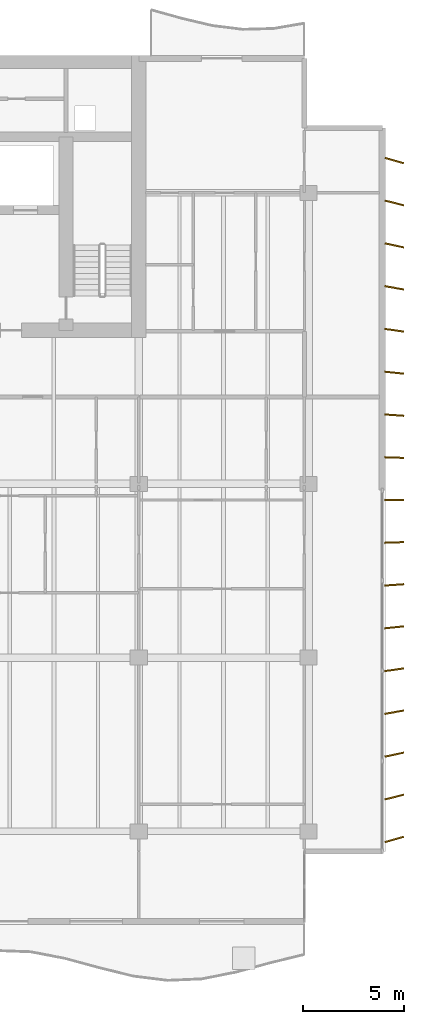
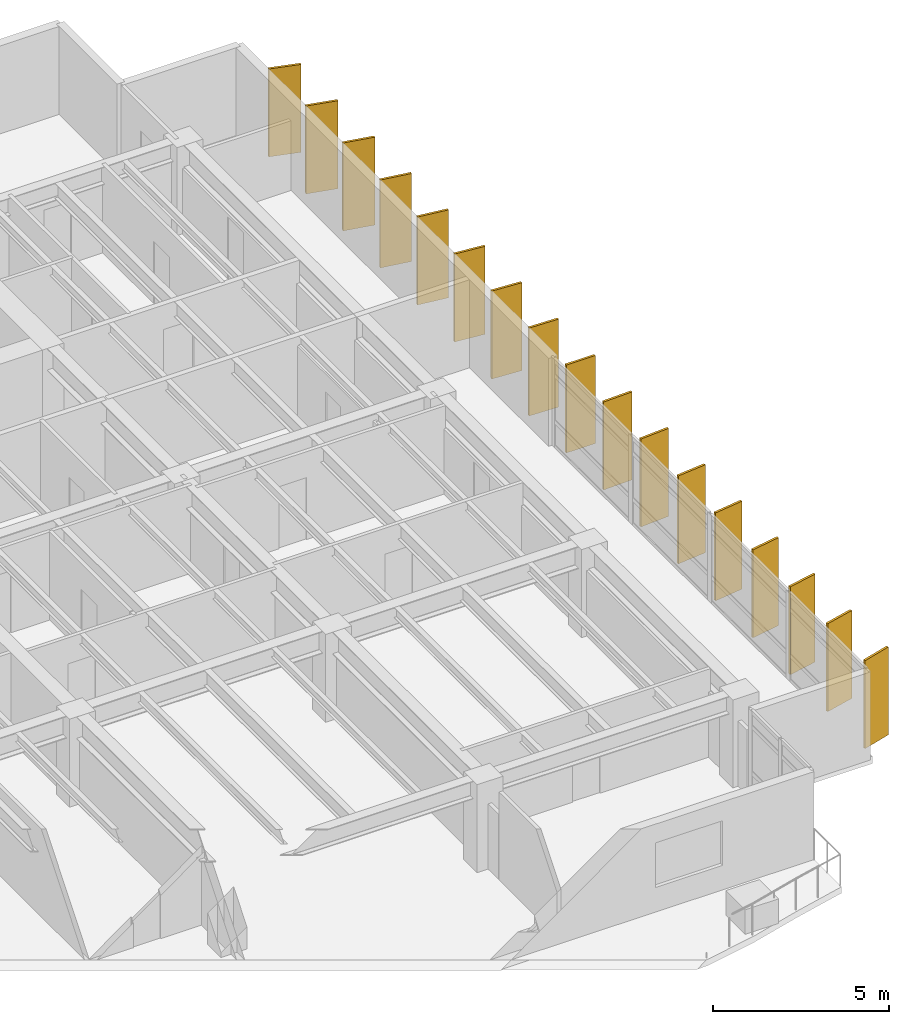
# One storey, part 19 of 19: 17 shading devices.
"""IFC4 building model written with IfcOpenShell, lengths in metres."""

from ifc_helpers import new_model, si_unit, direction, frame, origin, origin_2d, place, context, subcontext, project, spatial, rectangle, extrude, material, material_profile, profile_set, type_object, element, save


model = new_model("IFC4")

# Units and contexts
model_context = context("Model", 3, precision=1e-05, world=origin(), true_north=direction((0.0, 1.0)))
body_context = subcontext(model_context, "Body", "Model", "MODEL_VIEW")
ifc_project = project(units=[si_unit("LENGTHUNIT", "METRE"), si_unit("AREAUNIT", "SQUARE_METRE"), si_unit("VOLUMEUNIT", "CUBIC_METRE"), si_unit("PLANEANGLEUNIT", "RADIAN"), si_unit("MASSUNIT", "GRAM", prefix="KILO")], contexts=[model_context])

# Site, building, storey
site_placement = place(None, origin())
site = spatial("IfcSite", under=ifc_project, at=site_placement, CompositionType="ELEMENT")
building_placement = place(site_placement, origin())
building = spatial("IfcBuilding", under=site, at=building_placement, Name="Caelmar Bay Residences", CompositionType="ELEMENT")
storey_placement = place(building_placement, frame((0.0, 0.0, 163.800048828125)))
storey = spatial("IfcBuildingStorey", under=building, at=storey_placement, Name="L45", CompositionType="ELEMENT", Elevation=163.800048828125)

# Shading devices
ifc_material = material(Name="Anodised architectural bronze aluminium 6063-T6", Category="aluminium")
ifc_material_profile = material_profile(ifc_material, rectangle(XDim=0.074951171875, YDim=0.949951171875, at=origin_2d()), Name="BRONZE-FIN-75X950")
ifc_profile_set = profile_set([ifc_material_profile], Name="Anodised architectural bronze aluminium 6063-T6")
shading_device_type = type_object("IfcShadingDeviceType", Name="SHD-FIN-950", PredefinedType="USERDEFINED", material=ifc_profile_set)
for number, where, z_axis, x_axis, name in (
    (1, (72.14990234375, 11.800048828125, 0.0), (0.0, 0.0, 1.0), (-0.275637355817, 0.961261695938, 0.0), "L45 East Bronze Solar Fin 1"),
    (2, (72.14990234375, 13.89990234375, 0.0), (0.0, 0.0, 1.0), (-0.2419218956, 0.970295726276, 0.0), "L45 East Bronze Solar Fin 2"),
    (3, (72.14990234375, 16.0, 0.0), (0.0, 0.0, 1.0), (-0.207911690818, 0.978147600734, 0.0), "L45 East Bronze Solar Fin 3"),
    (4, (72.14990234375, 18.10009765625, 0.0), (0.0, 0.0, 1.0), (-0.173648177667, 0.984807753012, 0.0), "L45 East Bronze Solar Fin 4"),
    (5, (72.14990234375, 20.199951171875, 0.0), (0.0, 0.0, 1.0), (-0.13917310096, 0.990268068742, 0.0), "L45 East Bronze Solar Fin 5"),
    (6, (72.14990234375, 22.300048828125, 0.0), (0.0, 0.0, 1.0), (-0.104528463268, 0.994521895368, 0.0), "L45 East Bronze Solar Fin 6"),
    (7, (72.14990234375, 24.39990234375, 0.0), (0.0, 0.0, 1.0), (-0.069756473744, 0.99756405026, 0.0), "L45 East Bronze Solar Fin 7"),
    (8, (72.14990234375, 26.5, 0.0), (0.0, 0.0, 1.0), (-0.034899496703, 0.999390827019, 0.0), "L45 East Bronze Solar Fin 8"),
    (9, (72.14990234375, 28.60009765625, 0.0), (0.0, 0.0, 1.0), (0.0, 1.0, 0.0), "L45 East Bronze Solar Fin 9"),
    (10, (72.14990234375, 30.699951171875, 0.0), (0.0, 0.0, 1.0), (0.034899496703, 0.999390827019, 0.0), "L45 East Bronze Solar Fin 10"),
    (11, (72.14990234375, 32.800048828125, 0.0), (0.0, 0.0, 1.0), (0.069756473744, 0.99756405026, 0.0), "L45 East Bronze Solar Fin 11"),
    (12, (72.14990234375, 34.89990234375, 0.0), (0.0, 0.0, 1.0), (0.104528463268, 0.994521895368, 0.0), "L45 East Bronze Solar Fin 12"),
    (13, (72.14990234375, 37.0, 0.0), (0.0, 0.0, 1.0), (0.13917310096, 0.990268068742, 0.0), "L45 East Bronze Solar Fin 13"),
    (14, (72.14990234375, 39.10009765625, 0.0), (0.0, 0.0, 1.0), (0.173648177667, 0.984807753012, 0.0), "L45 East Bronze Solar Fin 14"),
    (15, (72.14990234375, 41.199951171875, 0.0), (0.0, 0.0, 1.0), (0.207911690818, 0.978147600734, 0.0), "L45 East Bronze Solar Fin 15"),
    (16, (72.14990234375, 43.300048828125, 0.0), (0.0, 0.0, 1.0), (0.2419218956, 0.970295726276, 0.0), "L45 East Bronze Solar Fin 16"),
    (17, (72.14990234375, 45.39990234375, 0.0), (0.0, 0.0, 1.0), (0.275637355817, 0.961261695938, 0.0), "L45 East Bronze Solar Fin 17"),
):
    element("IfcShadingDevice", number, at=place(storey_placement, frame(where, z_axis=z_axis, x_axis=x_axis)), inside=storey, type_object=shading_device_type, Name=name, ObjectType="FIN", PredefinedType="USERDEFINED", context=body_context, shape_type="SweptSolid", body=[
        extrude(rectangle(XDim=0.074951171875, YDim=0.949951171875, at=origin_2d()), origin(), (0.0, 0.0, 1.0), 3.050048828125),
    ])

save(model, "model.ifc")
